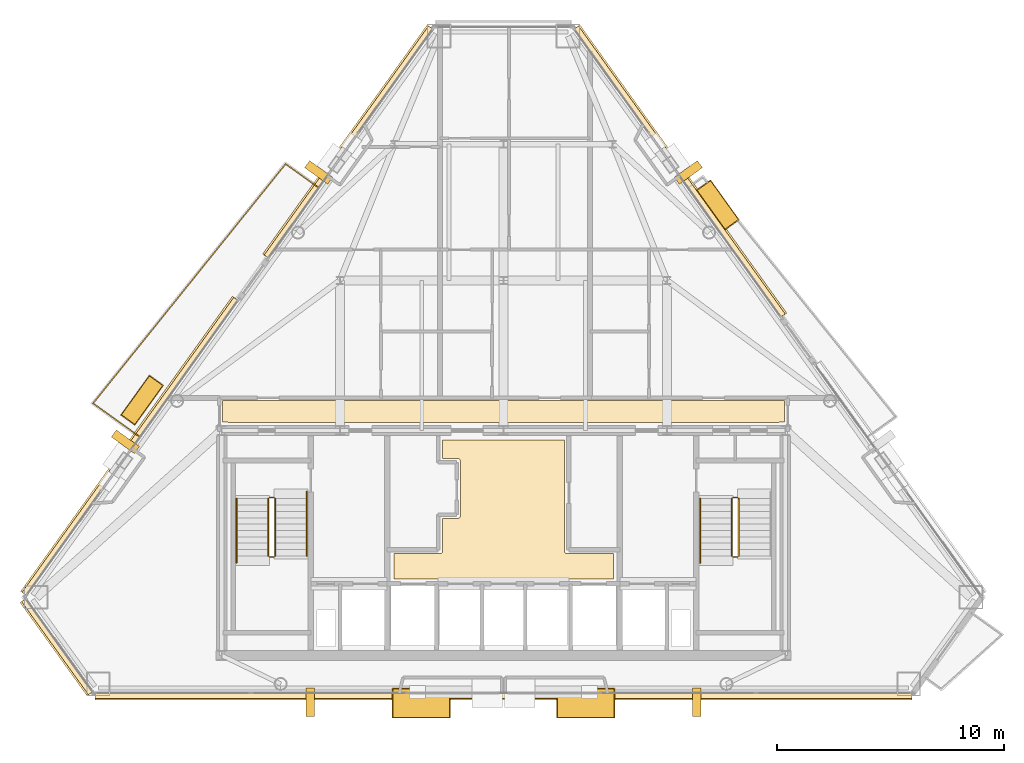
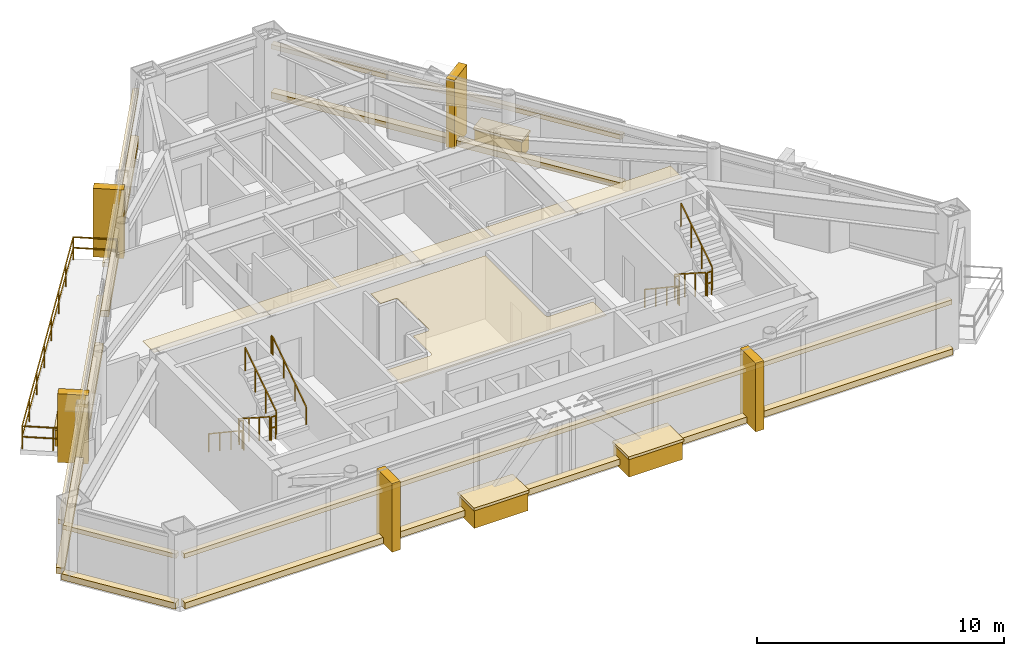
# One storey, part 11 of 12: 25 coverings, 12 railings.
"""IFC4 building model written with IfcOpenShell, lengths in metres."""

from ifc_helpers import new_model, si_unit, direction, frame, origin, origin_2d, place, context, subcontext, project, spatial, polyline, rectangle, outline, extrude, material, layer, layer_set, type_object, element, save


model = new_model("IFC4")

# Units and contexts
model_context = context("Model", 3, precision=1e-05, world=origin(), true_north=direction((0.0, 1.0)))
body_context = subcontext(model_context, "Body", "Model", "MODEL_VIEW")
ifc_project = project(units=[si_unit("LENGTHUNIT", "METRE"), si_unit("AREAUNIT", "SQUARE_METRE"), si_unit("VOLUMEUNIT", "CUBIC_METRE"), si_unit("PLANEANGLEUNIT", "RADIAN"), si_unit("MASSUNIT", "GRAM", prefix="KILO")], contexts=[model_context])

# Site, building, storey
site_placement = place(None, origin())
site = spatial("IfcSite", under=ifc_project, at=site_placement, CompositionType="ELEMENT")
building_placement = place(site_placement, origin())
building = spatial("IfcBuilding", under=site, at=building_placement, Name="Talgorran Terracotta Tower", CompositionType="ELEMENT")
storey_placement = place(building_placement, frame((0.0, 0.0, 221.699951171875)))
storey = spatial("IfcBuildingStorey", under=building, at=storey_placement, Name="L58", CompositionType="ELEMENT", Elevation=221.699951171875)

# Coverings
ifc_material_1 = material(Name="Kiln-Fired Terracotta Ochre Ceramic", Category="masonry")
ifc_layer_1 = layer(ifc_material_1, 0.179931640625, Name="COV_BAGUETTE_TERRACOTTA_SCREEN")
ifc_layer_set_1 = layer_set([ifc_layer_1], Name="Kiln-Fired Terracotta Ochre Ceramic")
covering_type_1 = type_object("IfcCoveringType", Name="COV_BAGUETTE_TERRACOTTA_SCREEN", PredefinedType="CLADDING", material=ifc_layer_set_1)
covering_1_placement = place(storey_placement, frame((-19.62841796875, -13.7041015625, 2.41015625), z_axis=(0.0, 0.0, 1.0), x_axis=(0.583115925445, -0.812388957023, 0.0)))
element("IfcCovering", 1, at=covering_1_placement, inside=storey, type_object=covering_type_1, Name="L58 Terracotta Baguette Solar Screen Assembly F0", PredefinedType="CLADDING", context=body_context, shape_type="SweptSolid", body=[
    extrude(rectangle(XDim=5.04541015625, YDim=0.260009765625, at=origin_2d()), origin(), (0.0, 0.0, 1.0), 0.219970703125),
])
covering_2_placement = place(storey_placement, frame((0.0, -15.852294921875, 2.41015625), z_axis=(0.0, 0.0, 1.0), x_axis=(1.0, 0.0, 0.0)))
element("IfcCovering", 2, at=covering_2_placement, inside=storey, type_object=covering_type_1, Name="L58 Terracotta Baguette Solar Screen Assembly F1", PredefinedType="CLADDING", context=body_context, shape_type="SweptSolid", body=[
    extrude(rectangle(XDim=35.930908203125, YDim=0.260009765625, at=origin_2d()), origin(), (0.0, 0.0, 1.0), 0.219970703125),
])
covering_3_placement = place(storey_placement, frame((7.740234375, 7.187744140625, 2.41015625), z_axis=(0.0, 0.0, 1.0), x_axis=(-0.583115925445, 0.812388957023, 0.0)))
element("IfcCovering", 3, at=covering_3_placement, inside=storey, type_object=covering_type_1, Name="L58 Terracotta Baguette Solar Screen Assembly F41", PredefinedType="CLADDING", context=body_context, shape_type="SweptSolid", body=[
    extrude(rectangle(XDim=15.593994140625, YDim=0.260009765625, at=origin_2d()), origin(), (0.0, 0.0, 1.0), 0.219970703125),
])
covering_4_placement = place(storey_placement, frame((-6.808837890625, 8.485107421875, 2.41015625), z_axis=(0.0, 0.0, 1.0), x_axis=(-0.583115925445, -0.812388957023, 0.0)))
element("IfcCovering", 4, at=covering_4_placement, inside=storey, type_object=covering_type_1, Name="L58 Terracotta Baguette Solar Screen Assembly F60", PredefinedType="CLADDING", context=body_context, shape_type="SweptSolid", body=[
    extrude(rectangle(XDim=12.39990234375, YDim=0.260009765625, at=origin_2d()), origin(), (0.0, 0.0, 1.0), 0.219970703125),
])
covering_5_placement = place(storey_placement, frame((-16.4208984375, -4.906005859375, 2.41015625), z_axis=(0.0, 0.0, 1.0), x_axis=(-0.583115925445, -0.812388957023, 0.0)))
element("IfcCovering", 5, at=covering_5_placement, inside=storey, type_object=covering_type_1, Name="L58 Terracotta Baguette Solar Screen Assembly F61", PredefinedType="CLADDING", context=body_context, shape_type="SweptSolid", body=[
    extrude(rectangle(XDim=15.96728515625, YDim=0.260009765625, at=origin_2d()), origin(), (0.0, 0.0, 1.0), 0.219970703125),
])
ifc_material_2 = material(Name="Mineral Fibre Acoustic Tile")
ifc_layer_2 = layer(ifc_material_2, 0.02490234375, Name="COV_CEIL_ACOUSTIC")
ifc_layer_set_2 = layer_set([ifc_layer_2], Name="Mineral Fibre Acoustic Tile")
covering_type_2 = type_object("IfcCoveringType", Name="COV_CEIL_ACOUSTIC", PredefinedType="CEILING", material=ifc_layer_set_2)
covering_6_placement = place(storey_placement, frame((0.0, 0.0, 3.255126953125)))
element("IfcCovering", 6, at=covering_6_placement, inside=storey, type_object=covering_type_2, Name="CEIL-L58-2", PredefinedType="CEILING", context=body_context, shape_type="SweptSolid", body=[
    extrude(outline(polyline([(-12.364990234375, -2.885009765625), (12.364990234375, -2.885009765625), (12.364990234375, -3.830078125), (12.169921875, -3.830078125), (12.158203125, -3.83056640625), (12.146484375, -3.832275390625), (12.13525390625, -3.835205078125), (12.1240234375, -3.839111328125), (12.11328125, -3.84423828125), (12.112060546875, -3.844970703125), (7.432861328125, -3.844970703125), (6.968017578125, -3.843017578125), (6.967529296875, -3.843017578125), (0.232666015625, -3.844970703125), (-0.23193359375, -3.843017578125), (-0.232421875, -3.843017578125), (-6.96728515625, -3.844970703125), (-7.431884765625, -3.843017578125), (-7.4326171875, -3.843017578125), (-12.112060546875, -3.844970703125), (-12.11328125, -3.84423828125), (-12.1240234375, -3.839111328125), (-12.13525390625, -3.835205078125), (-12.146484375, -3.832275390625), (-12.158203125, -3.83056640625), (-12.169921875, -3.830078125), (-12.364990234375, -3.830078125), (-12.364990234375, -2.885009765625)])), origin(), (0.0, 0.0, 1.0), 0.02001953125),
])
ifc_material_3 = material(Name="Flush Moisture-Resistant Plaster")
ifc_layer_3 = layer(ifc_material_3, 0.01806640625, Name="COV_CEIL_PLASTER")
ifc_layer_set_3 = layer_set([ifc_layer_3], Name="Flush Moisture-Resistant Plaster")
covering_type_3 = type_object("IfcCoveringType", Name="COV_CEIL_PLASTER", PredefinedType="CEILING", material=ifc_layer_set_3)
covering_7_placement = place(storey_placement, frame((0.0, 0.0, 3.255126953125)))
element("IfcCovering", 7, at=covering_7_placement, inside=storey, type_object=covering_type_3, Name="CEIL-L58-1", PredefinedType="CEILING", context=body_context, shape_type="SweptSolid", body=[
    extrude(outline(polyline([(2.679931640625, -4.6201171875), (2.679931640625, -9.5), (2.6806640625, -9.51171875), (2.682373046875, -9.5234375), (2.685302734375, -9.534912109375), (2.689208984375, -9.5458984375), (2.694091796875, -9.556640625), (2.7001953125, -9.566650390625), (2.707275390625, -9.576171875), (2.715087890625, -9.5849609375), (2.723876953125, -9.5927734375), (2.7333984375, -9.599853515625), (2.743408203125, -9.605712890625), (2.754150390625, -9.61083984375), (2.76513671875, -9.61474609375), (2.776611328125, -9.61767578125), (2.7880859375, -9.619384765625), (2.800048828125, -9.6201171875), (4.830078125, -9.6201171875), (4.830078125, -10.72998046875), (-4.830078125, -10.72998046875), (-4.830078125, -9.6201171875), (-2.800048828125, -9.6201171875), (-2.7880859375, -9.619384765625), (-2.776611328125, -9.61767578125), (-2.76513671875, -9.61474609375), (-2.754150390625, -9.61083984375), (-2.743408203125, -9.605712890625), (-2.7333984375, -9.599853515625), (-2.723876953125, -9.5927734375), (-2.715087890625, -9.5849609375), (-2.707275390625, -9.576171875), (-2.7001953125, -9.566650390625), (-2.694091796875, -9.556640625), (-2.689208984375, -9.5458984375), (-2.685302734375, -9.534912109375), (-2.682373046875, -9.5234375), (-2.6806640625, -9.51171875), (-2.679931640625, -9.5), (-2.679931640625, -8.070068359375), (-2.02001953125, -8.070068359375), (-2.00830078125, -8.0693359375), (-1.99658203125, -8.067626953125), (-1.985107421875, -8.064697265625), (-1.97412109375, -8.060791015625), (-1.96337890625, -8.055908203125), (-1.953369140625, -8.0498046875), (-1.94384765625, -8.042724609375), (-1.93505859375, -8.034912109375), (-1.92724609375, -8.026123046875), (-1.920166015625, -8.0166015625), (-1.914306640625, -8.006591796875), (-1.9091796875, -7.995849609375), (-1.9052734375, -7.98486328125), (-1.90234375, -7.973388671875), (-1.900634765625, -7.9619140625), (-1.89990234375, -7.949951171875), (-1.89990234375, -5.550048828125), (-1.900634765625, -5.5380859375), (-1.90234375, -5.526611328125), (-1.9052734375, -5.51513671875), (-1.9091796875, -5.504150390625), (-1.914306640625, -5.493408203125), (-1.920166015625, -5.4833984375), (-1.92724609375, -5.473876953125), (-1.93505859375, -5.465087890625), (-1.94384765625, -5.457275390625), (-1.953369140625, -5.4501953125), (-1.96337890625, -5.444091796875), (-1.97412109375, -5.439208984375), (-1.985107421875, -5.435302734375), (-1.99658203125, -5.432373046875), (-2.00830078125, -5.4306640625), (-2.02001953125, -5.429931640625), (-2.679931640625, -5.429931640625), (-2.679931640625, -4.6201171875), (2.679931640625, -4.6201171875)])), origin(), (0.0, 0.0, 1.0), 0.02001953125),
])
ifc_material_4 = material(Name="Honed Limestone and Terracotta Planter", Category="masonry")
ifc_layer_4 = layer(ifc_material_4, 0.1201171875, Name="COV_PLANTER_BOX")
ifc_layer_set_4 = layer_set([ifc_layer_4], Name="Honed Limestone and Terracotta Planter")
covering_type_4 = type_object("IfcCoveringType", Name="COV_PLANTER_BOX", PredefinedType="CLADDING", material=ifc_layer_set_4)
for number, where, z_axis, x_axis, name in (
    (8, (-3.619384765625, -16.192138671875, -0.179931640625), (0.0, 0.0, 1.0), (1.0, 0.0, 0.0), "L58 Staggered South Facade Planter Box 1"),
    (9, (3.619384765625, -16.192138671875, -0.179931640625), (0.0, 0.0, 1.0), (1.0, 0.0, 0.0), "L58 Staggered South Facade Planter Box 2"),
):
    element("IfcCovering", number, at=place(storey_placement, frame(where, z_axis=z_axis, x_axis=x_axis)), inside=storey, type_object=covering_type_4, Name=name, PredefinedType="CLADDING", context=body_context, shape_type="SweptSolid", body=[
        extrude(rectangle(XDim=2.5, YDim=1.25, at=origin_2d()), origin(), (0.0, 0.0, 1.0), 0.919921875),
    ])
for number, where, z_axis, x_axis, name in (
    (10, (9.427978515625, 5.7265625, -0.02001953125), (0.0, 0.0, 1.0), (-0.583115925445, 0.812388957023, 0.0), "L58 Staggered Balcony Planter Box BAL-NE"),
    (11, (-15.9033203125, -2.86474609375, -0.02001953125), (0.0, 0.0, 1.0), (-0.583115925445, -0.812388957023, 0.0), "L58 Staggered Balcony Planter Box BAL-NW"),
):
    element("IfcCovering", number, at=place(storey_placement, frame(where, z_axis=z_axis, x_axis=x_axis)), inside=storey, type_object=covering_type_4, Name=name, PredefinedType="CLADDING", context=body_context, shape_type="SweptSolid", body=[
        extrude(rectangle(XDim=2.10009765625, YDim=0.719970703125, at=origin_2d()), origin(), (0.0, 0.0, 1.0), 0.860107421875),
    ])
ifc_material_5 = material(Name="Kiln-Fired Terracotta Planter Rim", Category="masonry")
ifc_layer_5 = layer(ifc_material_5, 0.10009765625, Name="COV_PLANTER_RIM")
ifc_layer_set_5 = layer_set([ifc_layer_5], Name="Kiln-Fired Terracotta Planter Rim")
covering_type_5 = type_object("IfcCoveringType", Name="COV_PLANTER_RIM", PredefinedType="CLADDING", material=ifc_layer_set_5)
for number, where, z_axis, x_axis, name in (
    (12, (-3.619384765625, -16.192138671875, 0.7099609375), (0.0, 0.0, 1.0), (1.0, 0.0, 0.0), "L58 South Planter Terracotta Rim 1"),
    (13, (3.619384765625, -16.192138671875, 0.7099609375), (0.0, 0.0, 1.0), (1.0, 0.0, 0.0), "L58 South Planter Terracotta Rim 2"),
):
    element("IfcCovering", number, at=place(storey_placement, frame(where, z_axis=z_axis, x_axis=x_axis)), inside=storey, type_object=covering_type_5, Name=name, PredefinedType="CLADDING", context=body_context, shape_type="SweptSolid", body=[
        extrude(rectangle(XDim=2.580078125, YDim=1.320068359375, at=origin_2d()), origin(), (0.0, 0.0, 1.0), 0.139892578125),
    ])
for number, where, z_axis, x_axis, name in (
    (14, (9.427978515625, 5.7265625, 0.800048828125), (0.0, 0.0, 1.0), (-0.583115925445, 0.812388957023, 0.0), "L58 Balcony Planter Terracotta Rim BAL-NE"),
    (15, (-15.9033203125, -2.86474609375, 0.800048828125), (0.0, 0.0, 1.0), (-0.583115925445, -0.812388957023, 0.0), "L58 Balcony Planter Terracotta Rim BAL-NW"),
):
    element("IfcCovering", number, at=place(storey_placement, frame(where, z_axis=z_axis, x_axis=x_axis)), inside=storey, type_object=covering_type_5, Name=name, PredefinedType="CLADDING", context=body_context, shape_type="SweptSolid", body=[
        extrude(rectangle(XDim=2.179931640625, YDim=0.780029296875, at=origin_2d()), origin(), (0.0, 0.0, 1.0), 0.1201171875),
    ])
ifc_material_6 = material(Name="Honed Limestone Cladding", Category="masonry")
ifc_layer_6 = layer(ifc_material_6, 0.094970703125, Name="COV_PORTAL_LIME")
ifc_layer_set_6 = layer_set([ifc_layer_6], Name="Honed Limestone Cladding")
covering_type_6 = type_object("IfcCoveringType", Name="COV_PORTAL_LIME", PredefinedType="CLADDING", material=ifc_layer_set_6)
covering_8_placement = place(storey_placement, frame((-19.660888671875, -13.7275390625, -0.0400390625), z_axis=(0.0, 0.0, 1.0), x_axis=(0.583115925445, -0.812388957023, 0.0)))
element("IfcCovering", 16, at=covering_8_placement, inside=storey, type_object=covering_type_6, Name="L58 Striped Postmodern Portal Cladding Band F0", PredefinedType="CLADDING", context=body_context, shape_type="SweptSolid", body=[
    extrude(rectangle(XDim=5.0654296875, YDim=0.340087890625, at=origin_2d()), origin(), (0.0, 0.0, 1.0), 0.300048828125),
])
covering_9_placement = place(storey_placement, frame((0.0, -15.89208984375, -0.0400390625), z_axis=(0.0, 0.0, 1.0), x_axis=(1.0, 0.0, 0.0)))
element("IfcCovering", 17, at=covering_9_placement, inside=storey, type_object=covering_type_6, Name="L58 Striped Postmodern Portal Cladding Band F1", PredefinedType="CLADDING", context=body_context, shape_type="SweptSolid", body=[
    extrude(rectangle(XDim=35.95068359375, YDim=0.340087890625, at=origin_2d()), origin(), (0.0, 0.0, 1.0), 0.300048828125),
])
covering_10_placement = place(storey_placement, frame((7.772705078125, 7.2109375, -0.0400390625), z_axis=(0.0, 0.0, 1.0), x_axis=(-0.583115925445, 0.812388957023, 0.0)))
element("IfcCovering", 18, at=covering_10_placement, inside=storey, type_object=covering_type_6, Name="L58 Striped Postmodern Portal Cladding Band F41", PredefinedType="CLADDING", context=body_context, shape_type="SweptSolid", body=[
    extrude(rectangle(XDim=15.614013671875, YDim=0.340087890625, at=origin_2d()), origin(), (0.0, 0.0, 1.0), 0.300048828125),
])
covering_11_placement = place(storey_placement, frame((-6.84130859375, 8.508544921875, -0.0400390625), z_axis=(0.0, 0.0, 1.0), x_axis=(-0.583115925445, -0.812388957023, 0.0)))
element("IfcCovering", 19, at=covering_11_placement, inside=storey, type_object=covering_type_6, Name="L58 Striped Postmodern Portal Cladding Band F60", PredefinedType="CLADDING", context=body_context, shape_type="SweptSolid", body=[
    extrude(rectangle(XDim=12.419921875, YDim=0.340087890625, at=origin_2d()), origin(), (0.0, 0.0, 1.0), 0.300048828125),
])
covering_12_placement = place(storey_placement, frame((-16.453369140625, -4.8828125, -0.0400390625), z_axis=(0.0, 0.0, 1.0), x_axis=(-0.583115925445, -0.812388957023, 0.0)))
element("IfcCovering", 20, at=covering_12_placement, inside=storey, type_object=covering_type_6, Name="L58 Striped Postmodern Portal Cladding Band F61", PredefinedType="CLADDING", context=body_context, shape_type="SweptSolid", body=[
    extrude(rectangle(XDim=15.9873046875, YDim=0.340087890625, at=origin_2d()), origin(), (0.0, 0.0, 1.0), 0.300048828125),
])
for number, where, z_axis, x_axis, name in (
    (21, (8.505615234375, -16.152099609375, -0.050048828125), (0.0, 0.0, 1.0), (1.0, 0.0, 0.0), "L58 White Striped Portal Fin F1-2"),
    (22, (8.133056640625, 7.15478515625, -0.050048828125), (0.0, 0.0, 1.0), (-0.583115925445, 0.812388957023, 0.0), "L58 White Striped Portal Fin F3-2"),
    (23, (-16.638671875, -4.695068359375, -0.050048828125), (0.0, 0.0, 1.0), (-0.583115925445, -0.812388957023, 0.0), "L58 White Striped Portal Fin F5-2"),
):
    element("IfcCovering", number, at=place(storey_placement, frame(where, z_axis=z_axis, x_axis=x_axis)), inside=storey, type_object=covering_type_6, Name=name, PredefinedType="CLADDING", context=body_context, shape_type="SweptSolid", body=[
        extrude(rectangle(XDim=0.3798828125, YDim=1.25, at=origin_2d()), origin(), (0.0, 0.0, 1.0), 3.39501953125),
    ])
ifc_material_7 = material(Name="Kiln-Fired Terracotta Cladding", Category="masonry")
ifc_layer_7 = layer(ifc_material_7, 0.090087890625, Name="COV_PORTAL_TERRA")
ifc_layer_set_7 = layer_set([ifc_layer_7], Name="Kiln-Fired Terracotta Cladding")
covering_type_7 = type_object("IfcCoveringType", Name="COV_PORTAL_TERRA", PredefinedType="CLADDING", material=ifc_layer_set_7)
for number, where, z_axis, x_axis, name in (
    (24, (-8.505615234375, -16.152099609375, -0.050048828125), (0.0, 0.0, 1.0), (1.0, 0.0, 0.0), "L58 Terracotta Striped Portal Fin F1-1"),
    (25, (-8.133056640625, 7.15478515625, -0.050048828125), (0.0, 0.0, 1.0), (-0.583115925445, -0.812388957023, 0.0), "L58 Terracotta Striped Portal Fin F5-1"),
):
    element("IfcCovering", number, at=place(storey_placement, frame(where, z_axis=z_axis, x_axis=x_axis)), inside=storey, type_object=covering_type_7, Name=name, PredefinedType="CLADDING", context=body_context, shape_type="SweptSolid", body=[
        extrude(rectangle(XDim=0.3798828125, YDim=1.25, at=origin_2d()), origin(), (0.0, 0.0, 1.0), 3.39501953125),
    ])

# Railings
ifc_material_8 = material(Name="Laminated Glass and Stainless Steel 316", Category="steel")
railing_type_1 = type_object("IfcRailingType", Name="RL_BALCONY_1150", PredefinedType="BALUSTRADE", material=ifc_material_8)
railing_1_placement = place(storey_placement, frame((-8.142333984375, 6.490234375, 0.0)))
element("IfcRailing", 26, at=railing_1_placement, inside=storey, type_object=railing_type_1, Name="RL-L58-BAL-BAL-NW", PredefinedType="BALUSTRADE", context=body_context, shape_type="SweptSolid", body=[
    extrude(rectangle(XDim=0.048095703125, YDim=0.048095703125, at=origin_2d()), frame((0.0, 0.0, 1.1259765625), z_axis=(-0.812425308408, 0.58306527787, 0.0), x_axis=(-0.58306527787, -0.812425308408, 0.0)), (0.0, 0.0, 1.0), 1.78076171875),
    extrude(rectangle(XDim=0.048095703125, YDim=0.048095703125, at=origin_2d()), frame((0.0, 0.0, 0.597900390625), z_axis=(-0.812425308408, 0.58306527787, 0.0), x_axis=(-0.58306527787, -0.812425308408, 0.0)), (0.0, 0.0, 1.0), 1.78076171875),
    extrude(rectangle(XDim=0.048095703125, YDim=0.048095703125, at=origin_2d()), frame((-1.44677734375, 1.038330078125, 1.1259765625), z_axis=(-0.626748153954, -0.779221888499, 0.0), x_axis=(0.779221888499, -0.626748153954, 0.0)), (0.0, 0.0, 1.0), 13.515625),
    extrude(rectangle(XDim=0.048095703125, YDim=0.048095703125, at=origin_2d()), frame((-1.44677734375, 1.038330078125, 0.597900390625), z_axis=(-0.626748153954, -0.779221888499, 0.0), x_axis=(0.779221888499, -0.626748153954, 0.0)), (0.0, 0.0, 1.0), 13.515625),
    extrude(rectangle(XDim=0.048095703125, YDim=0.048095703125, at=origin_2d()), frame((-9.917724609375, -9.493408203125, 1.1259765625), z_axis=(0.812396653671, -0.583105202432, 0.0), x_axis=(0.583105202432, 0.812396653671, 0.0)), (0.0, 0.0, 1.0), 2.521240234375),
    extrude(rectangle(XDim=0.048095703125, YDim=0.048095703125, at=origin_2d()), frame((-9.917724609375, -9.493408203125, 0.597900390625), z_axis=(0.812396653671, -0.583105202432, 0.0), x_axis=(0.583105202432, 0.812396653671, 0.0)), (0.0, 0.0, 1.0), 2.521240234375),
    extrude(rectangle(XDim=0.0419921875, YDim=0.0419921875, at=origin_2d()), origin(), (0.0, 0.0, 1.0), 1.101806640625),
    extrude(rectangle(XDim=0.0419921875, YDim=0.0419921875, at=origin_2d()), frame((-1.44677734375, 1.038330078125, 0.0)), (0.0, 0.0, 1.0), 1.101806640625),
    extrude(rectangle(XDim=0.0419921875, YDim=0.0419921875, at=origin_2d()), frame((-2.656982421875, -0.46630859375, 0.0)), (0.0, 0.0, 1.0), 1.101806640625),
    extrude(rectangle(XDim=0.0419921875, YDim=0.0419921875, at=origin_2d()), frame((-3.866943359375, -1.970703125, 0.0)), (0.0, 0.0, 1.0), 1.101806640625),
    extrude(rectangle(XDim=0.0419921875, YDim=0.0419921875, at=origin_2d()), frame((-5.0771484375, -3.475341796875, 0.0)), (0.0, 0.0, 1.0), 1.101806640625),
    extrude(rectangle(XDim=0.0419921875, YDim=0.0419921875, at=origin_2d()), frame((-6.287353515625, -4.979736328125, 0.0)), (0.0, 0.0, 1.0), 1.101806640625),
    extrude(rectangle(XDim=0.0419921875, YDim=0.0419921875, at=origin_2d()), frame((-7.49755859375, -6.484375, 0.0)), (0.0, 0.0, 1.0), 1.101806640625),
    extrude(rectangle(XDim=0.0419921875, YDim=0.0419921875, at=origin_2d()), frame((-8.70751953125, -7.98876953125, 0.0)), (0.0, 0.0, 1.0), 1.101806640625),
    extrude(rectangle(XDim=0.0419921875, YDim=0.0419921875, at=origin_2d()), frame((-9.917724609375, -9.493408203125, 0.0)), (0.0, 0.0, 1.0), 1.101806640625),
    extrude(rectangle(XDim=0.0419921875, YDim=0.0419921875, at=origin_2d()), frame((-8.8935546875, -10.228515625, 0.0)), (0.0, 0.0, 1.0), 1.101806640625),
    extrude(rectangle(XDim=0.0419921875, YDim=0.0419921875, at=origin_2d()), frame((-7.869384765625, -10.963623046875, 0.0)), (0.0, 0.0, 1.0), 1.101806640625),
])
ifc_material_9 = material(Name="Steel S355 (300PLUS)", Category="steel")
railing_type_2 = type_object("IfcRailingType", Name="RL_HANDRAIL_920", PredefinedType="HANDRAIL", material=ifc_material_9)
railing_2_placement = place(storey_placement, frame((-11.75, -7.199951171875, 0.179931640625)))
element("IfcRailing", 27, at=railing_2_placement, inside=storey, type_object=railing_type_2, Name="L58 ST-01 stair handrail 1", PredefinedType="HANDRAIL", context=body_context, shape_type="SweptSolid", body=[
    extrude(rectangle(XDim=0.048095703125, YDim=0.048095703125, at=origin_2d()), frame((0.0, 0.0, 0.89599609375), z_axis=(0.0, -0.832038719335, 0.554717558338), x_axis=(1.0, 0.0, 0.0)), (0.0, 0.0, 1.0), 3.244873046875),
    extrude(rectangle(XDim=0.048095703125, YDim=0.048095703125, at=origin_2d()), frame((0.0, -2.699951171875, 2.69580078125), z_axis=(0.0, -1.0, 0.0), x_axis=(1.0, 0.0, 0.0)), (0.0, 0.0, 1.0), 0.1201171875),
    extrude(rectangle(XDim=0.0419921875, YDim=0.0419921875, at=origin_2d()), origin(), (0.0, 0.0, 1.0), 0.871826171875),
    extrude(rectangle(XDim=0.0419921875, YDim=0.0419921875, at=origin_2d()), frame((0.0, -0.89990234375, 0.60009765625)), (0.0, 0.0, 1.0), 0.871826171875),
    extrude(rectangle(XDim=0.0419921875, YDim=0.0419921875, at=origin_2d()), frame((0.0, -1.800048828125, 1.199951171875)), (0.0, 0.0, 1.0), 0.871826171875),
    extrude(rectangle(XDim=0.0419921875, YDim=0.0419921875, at=origin_2d()), frame((0.0, -2.699951171875, 1.800048828125)), (0.0, 0.0, 1.0), 0.871826171875),
    extrude(rectangle(XDim=0.0419921875, YDim=0.0419921875, at=origin_2d()), frame((0.0, -2.820068359375, 1.800048828125)), (0.0, 0.0, 1.0), 0.871826171875),
])
railing_3_placement = place(storey_placement, frame((-8.64990234375, -9.719970703125, 1.97998046875)))
element("IfcRailing", 28, at=railing_3_placement, inside=storey, type_object=railing_type_2, Name="L58 ST-01 stair handrail 2", PredefinedType="HANDRAIL", context=body_context, shape_type="SweptSolid", body=[
    extrude(rectangle(XDim=0.048095703125, YDim=0.048095703125, at=origin_2d()), frame((0.0, 0.0, 0.89599609375), z_axis=(0.0, 0.832038719335, 0.554717558338), x_axis=(-1.0, 0.0, 0.0)), (0.0, 0.0, 1.0), 3.244873046875),
    extrude(rectangle(XDim=0.048095703125, YDim=0.048095703125, at=origin_2d()), frame((0.0, 2.699951171875, 2.69580078125), z_axis=(0.0, 1.0, 0.0), x_axis=(-1.0, 0.0, 0.0)), (0.0, 0.0, 1.0), 0.1201171875),
    extrude(rectangle(XDim=0.0419921875, YDim=0.0419921875, at=origin_2d()), origin(), (0.0, 0.0, 1.0), 0.871826171875),
    extrude(rectangle(XDim=0.0419921875, YDim=0.0419921875, at=origin_2d()), frame((0.0, 0.89990234375, 0.60009765625)), (0.0, 0.0, 1.0), 0.871826171875),
    extrude(rectangle(XDim=0.0419921875, YDim=0.0419921875, at=origin_2d()), frame((0.0, 1.800048828125, 1.199951171875)), (0.0, 0.0, 1.0), 0.871826171875),
    extrude(rectangle(XDim=0.0419921875, YDim=0.0419921875, at=origin_2d()), frame((0.0, 2.699951171875, 1.800048828125)), (0.0, 0.0, 1.0), 0.871826171875),
    extrude(rectangle(XDim=0.0419921875, YDim=0.0419921875, at=origin_2d()), frame((0.0, 2.820068359375, 1.800048828125)), (0.0, 0.0, 1.0), 0.871826171875),
])
railing_4_placement = place(storey_placement, frame((8.64990234375, -7.199951171875, 0.179931640625)))
element("IfcRailing", 29, at=railing_4_placement, inside=storey, type_object=railing_type_2, Name="L58 ST-02 stair handrail 1", PredefinedType="HANDRAIL", context=body_context, shape_type="SweptSolid", body=[
    extrude(rectangle(XDim=0.048095703125, YDim=0.048095703125, at=origin_2d()), frame((0.0, 0.0, 0.89599609375), z_axis=(0.0, -0.832038719335, 0.554717558338), x_axis=(1.0, 0.0, 0.0)), (0.0, 0.0, 1.0), 3.244873046875),
    extrude(rectangle(XDim=0.048095703125, YDim=0.048095703125, at=origin_2d()), frame((0.0, -2.699951171875, 2.69580078125), z_axis=(0.0, -1.0, 0.0), x_axis=(1.0, 0.0, 0.0)), (0.0, 0.0, 1.0), 0.1201171875),
    extrude(rectangle(XDim=0.0419921875, YDim=0.0419921875, at=origin_2d()), origin(), (0.0, 0.0, 1.0), 0.871826171875),
    extrude(rectangle(XDim=0.0419921875, YDim=0.0419921875, at=origin_2d()), frame((0.0, -0.89990234375, 0.60009765625)), (0.0, 0.0, 1.0), 0.871826171875),
    extrude(rectangle(XDim=0.0419921875, YDim=0.0419921875, at=origin_2d()), frame((0.0, -1.800048828125, 1.199951171875)), (0.0, 0.0, 1.0), 0.871826171875),
    extrude(rectangle(XDim=0.0419921875, YDim=0.0419921875, at=origin_2d()), frame((0.0, -2.699951171875, 1.800048828125)), (0.0, 0.0, 1.0), 0.871826171875),
    extrude(rectangle(XDim=0.0419921875, YDim=0.0419921875, at=origin_2d()), frame((0.0, -2.820068359375, 1.800048828125)), (0.0, 0.0, 1.0), 0.871826171875),
])
railing_type_3 = type_object("IfcRailingType", Name="RL_STAIR_GUARD", PredefinedType="GUARDRAIL", material=ifc_material_9)
railing_5_placement = place(storey_placement, frame((-10.35009765625, -7.199951171875, 0.179931640625)))
element("IfcRailing", 30, at=railing_5_placement, inside=storey, type_object=railing_type_3, Name="L58 ST-01 stair guard 1", PredefinedType="GUARDRAIL", context=body_context, shape_type="SweptSolid", body=[
    extrude(rectangle(XDim=0.048095703125, YDim=0.048095703125, at=origin_2d()), frame((0.0, 0.0, 1.15576171875), z_axis=(0.0, -0.841162588446, 0.540782303519), x_axis=(1.0, 0.0, 0.0)), (0.0, 0.0, 1.0), 2.995849609375),
    extrude(rectangle(XDim=0.0419921875, YDim=0.0419921875, at=origin_2d()), origin(), (0.0, 0.0, 1.0), 1.1318359375),
    extrude(rectangle(XDim=0.0419921875, YDim=0.0419921875, at=origin_2d()), frame((0.0, -0.840087890625, 0.5400390625)), (0.0, 0.0, 1.0), 1.1318359375),
    extrude(rectangle(XDim=0.0419921875, YDim=0.0419921875, at=origin_2d()), frame((0.0, -1.679931640625, 1.080078125)), (0.0, 0.0, 1.0), 1.1318359375),
    extrude(rectangle(XDim=0.0419921875, YDim=0.0419921875, at=origin_2d()), frame((0.0, -2.52001953125, 1.6201171875)), (0.0, 0.0, 1.0), 1.1318359375),
])
railing_6_placement = place(storey_placement, frame((-10.300048828125, -9.77001953125, 1.800048828125)))
element("IfcRailing", 31, at=railing_6_placement, inside=storey, type_object=railing_type_3, Name="L58 ST-01 stair guard 2", PredefinedType="GUARDRAIL", context=body_context, shape_type="SweptSolid", body=[
    extrude(rectangle(XDim=0.048095703125, YDim=0.048095703125, at=origin_2d()), frame((0.0, 0.0, 1.15576171875), z_axis=(1.0, 0.0, 0.0), x_axis=(0.0, 1.0, 0.0)), (0.0, 0.0, 1.0), 0.199951171875),
    extrude(rectangle(XDim=0.048095703125, YDim=0.048095703125, at=origin_2d()), frame((0.0, 0.0, 0.613525390625), z_axis=(1.0, 0.0, 0.0), x_axis=(0.0, 1.0, 0.0)), (0.0, 0.0, 1.0), 0.199951171875),
    extrude(rectangle(XDim=0.0419921875, YDim=0.0419921875, at=origin_2d()), origin(), (0.0, 0.0, 1.0), 1.1318359375),
    extrude(rectangle(XDim=0.0419921875, YDim=0.0419921875, at=origin_2d()), frame((0.199951171875, 0.0, 0.0)), (0.0, 0.0, 1.0), 1.1318359375),
])
railing_7_placement = place(storey_placement, frame((-10.050048828125, -9.719970703125, 1.97998046875)))
element("IfcRailing", 32, at=railing_7_placement, inside=storey, type_object=railing_type_3, Name="L58 ST-01 stair guard 3", PredefinedType="GUARDRAIL", context=body_context, shape_type="SweptSolid", body=[
    extrude(rectangle(XDim=0.048095703125, YDim=0.048095703125, at=origin_2d()), frame((0.0, 0.0, 1.15576171875), z_axis=(0.0, 0.841162588446, 0.540782303519), x_axis=(-1.0, 0.0, 0.0)), (0.0, 0.0, 1.0), 2.995849609375),
    extrude(rectangle(XDim=0.0419921875, YDim=0.0419921875, at=origin_2d()), origin(), (0.0, 0.0, 1.0), 1.1318359375),
    extrude(rectangle(XDim=0.0419921875, YDim=0.0419921875, at=origin_2d()), frame((0.0, 0.840087890625, 0.5400390625)), (0.0, 0.0, 1.0), 1.1318359375),
    extrude(rectangle(XDim=0.0419921875, YDim=0.0419921875, at=origin_2d()), frame((0.0, 1.679931640625, 1.080078125)), (0.0, 0.0, 1.0), 1.1318359375),
    extrude(rectangle(XDim=0.0419921875, YDim=0.0419921875, at=origin_2d()), frame((0.0, 2.52001953125, 1.6201171875)), (0.0, 0.0, 1.0), 1.1318359375),
])
railing_8_placement = place(storey_placement, frame((-10.300048828125, -7.14990234375, 0.0)))
element("IfcRailing", 33, at=railing_8_placement, inside=storey, type_object=railing_type_3, Name="L58 ST-01 stair guard 4", PredefinedType="GUARDRAIL", context=body_context, shape_type="SweptSolid", body=[
    extrude(rectangle(XDim=0.048095703125, YDim=0.048095703125, at=origin_2d()), frame((0.0, 0.0, 1.15576171875), z_axis=(1.0, 0.0, 0.0), x_axis=(0.0, 1.0, 0.0)), (0.0, 0.0, 1.0), 0.199951171875),
    extrude(rectangle(XDim=0.048095703125, YDim=0.048095703125, at=origin_2d()), frame((0.0, 0.0, 0.613525390625), z_axis=(1.0, 0.0, 0.0), x_axis=(0.0, 1.0, 0.0)), (0.0, 0.0, 1.0), 0.199951171875),
    extrude(rectangle(XDim=0.0419921875, YDim=0.0419921875, at=origin_2d()), origin(), (0.0, 0.0, 1.0), 1.1318359375),
    extrude(rectangle(XDim=0.0419921875, YDim=0.0419921875, at=origin_2d()), frame((0.199951171875, 0.0, 0.0)), (0.0, 0.0, 1.0), 1.1318359375),
])
railing_9_placement = place(storey_placement, frame((10.050048828125, -7.199951171875, 0.179931640625)))
element("IfcRailing", 34, at=railing_9_placement, inside=storey, type_object=railing_type_3, Name="L58 ST-02 stair guard 1", PredefinedType="GUARDRAIL", context=body_context, shape_type="SweptSolid", body=[
    extrude(rectangle(XDim=0.048095703125, YDim=0.048095703125, at=origin_2d()), frame((0.0, 0.0, 1.15576171875), z_axis=(0.0, -0.841162588446, 0.540782303519), x_axis=(1.0, 0.0, 0.0)), (0.0, 0.0, 1.0), 2.995849609375),
    extrude(rectangle(XDim=0.0419921875, YDim=0.0419921875, at=origin_2d()), origin(), (0.0, 0.0, 1.0), 1.1318359375),
    extrude(rectangle(XDim=0.0419921875, YDim=0.0419921875, at=origin_2d()), frame((0.0, -0.840087890625, 0.5400390625)), (0.0, 0.0, 1.0), 1.1318359375),
    extrude(rectangle(XDim=0.0419921875, YDim=0.0419921875, at=origin_2d()), frame((0.0, -1.679931640625, 1.080078125)), (0.0, 0.0, 1.0), 1.1318359375),
    extrude(rectangle(XDim=0.0419921875, YDim=0.0419921875, at=origin_2d()), frame((0.0, -2.52001953125, 1.6201171875)), (0.0, 0.0, 1.0), 1.1318359375),
])
railing_10_placement = place(storey_placement, frame((10.10009765625, -9.77001953125, 1.800048828125)))
element("IfcRailing", 35, at=railing_10_placement, inside=storey, type_object=railing_type_3, Name="L58 ST-02 stair guard 2", PredefinedType="GUARDRAIL", context=body_context, shape_type="SweptSolid", body=[
    extrude(rectangle(XDim=0.048095703125, YDim=0.048095703125, at=origin_2d()), frame((0.0, 0.0, 1.15576171875), z_axis=(1.0, 0.0, 0.0), x_axis=(0.0, 1.0, 0.0)), (0.0, 0.0, 1.0), 0.199951171875),
    extrude(rectangle(XDim=0.048095703125, YDim=0.048095703125, at=origin_2d()), frame((0.0, 0.0, 0.613525390625), z_axis=(1.0, 0.0, 0.0), x_axis=(0.0, 1.0, 0.0)), (0.0, 0.0, 1.0), 0.199951171875),
    extrude(rectangle(XDim=0.0419921875, YDim=0.0419921875, at=origin_2d()), origin(), (0.0, 0.0, 1.0), 1.1318359375),
    extrude(rectangle(XDim=0.0419921875, YDim=0.0419921875, at=origin_2d()), frame((0.199951171875, 0.0, 0.0)), (0.0, 0.0, 1.0), 1.1318359375),
])
railing_11_placement = place(storey_placement, frame((10.35009765625, -9.719970703125, 1.97998046875)))
element("IfcRailing", 36, at=railing_11_placement, inside=storey, type_object=railing_type_3, Name="L58 ST-02 stair guard 3", PredefinedType="GUARDRAIL", context=body_context, shape_type="SweptSolid", body=[
    extrude(rectangle(XDim=0.048095703125, YDim=0.048095703125, at=origin_2d()), frame((0.0, 0.0, 1.15576171875), z_axis=(0.0, 0.841162588446, 0.540782303519), x_axis=(-1.0, 0.0, 0.0)), (0.0, 0.0, 1.0), 2.995849609375),
    extrude(rectangle(XDim=0.0419921875, YDim=0.0419921875, at=origin_2d()), origin(), (0.0, 0.0, 1.0), 1.1318359375),
    extrude(rectangle(XDim=0.0419921875, YDim=0.0419921875, at=origin_2d()), frame((0.0, 0.840087890625, 0.5400390625)), (0.0, 0.0, 1.0), 1.1318359375),
    extrude(rectangle(XDim=0.0419921875, YDim=0.0419921875, at=origin_2d()), frame((0.0, 1.679931640625, 1.080078125)), (0.0, 0.0, 1.0), 1.1318359375),
    extrude(rectangle(XDim=0.0419921875, YDim=0.0419921875, at=origin_2d()), frame((0.0, 2.52001953125, 1.6201171875)), (0.0, 0.0, 1.0), 1.1318359375),
])
railing_12_placement = place(storey_placement, frame((10.10009765625, -7.14990234375, 0.0)))
element("IfcRailing", 37, at=railing_12_placement, inside=storey, type_object=railing_type_3, Name="L58 ST-02 stair guard 4", PredefinedType="GUARDRAIL", context=body_context, shape_type="SweptSolid", body=[
    extrude(rectangle(XDim=0.048095703125, YDim=0.048095703125, at=origin_2d()), frame((0.0, 0.0, 1.15576171875), z_axis=(1.0, 0.0, 0.0), x_axis=(0.0, 1.0, 0.0)), (0.0, 0.0, 1.0), 0.199951171875),
    extrude(rectangle(XDim=0.048095703125, YDim=0.048095703125, at=origin_2d()), frame((0.0, 0.0, 0.613525390625), z_axis=(1.0, 0.0, 0.0), x_axis=(0.0, 1.0, 0.0)), (0.0, 0.0, 1.0), 0.199951171875),
    extrude(rectangle(XDim=0.0419921875, YDim=0.0419921875, at=origin_2d()), origin(), (0.0, 0.0, 1.0), 1.1318359375),
    extrude(rectangle(XDim=0.0419921875, YDim=0.0419921875, at=origin_2d()), frame((0.199951171875, 0.0, 0.0)), (0.0, 0.0, 1.0), 1.1318359375),
])

save(model, "model.ifc")
